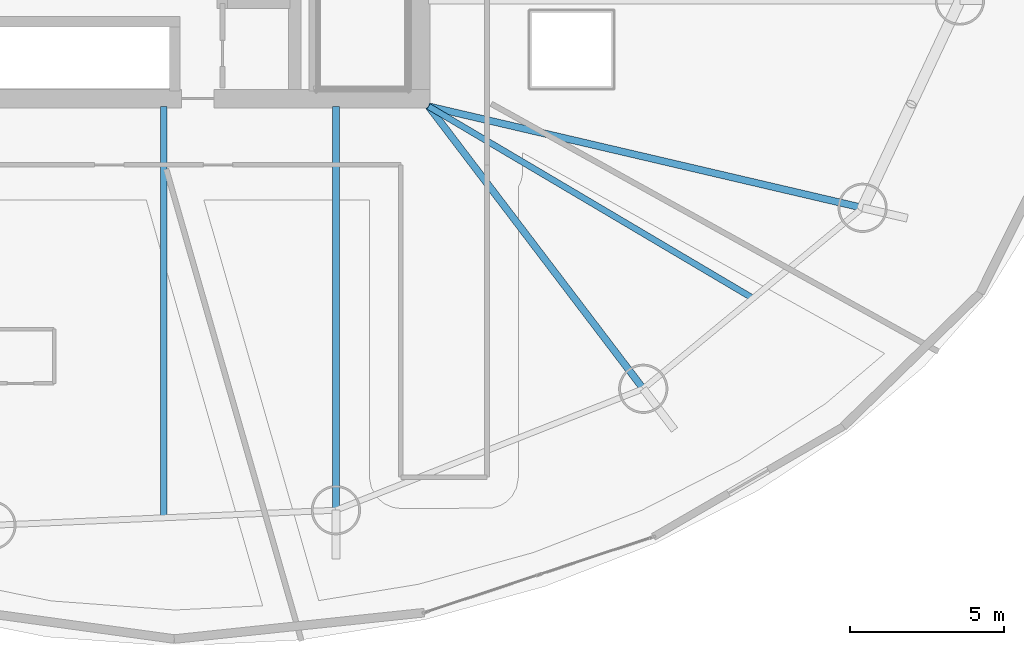
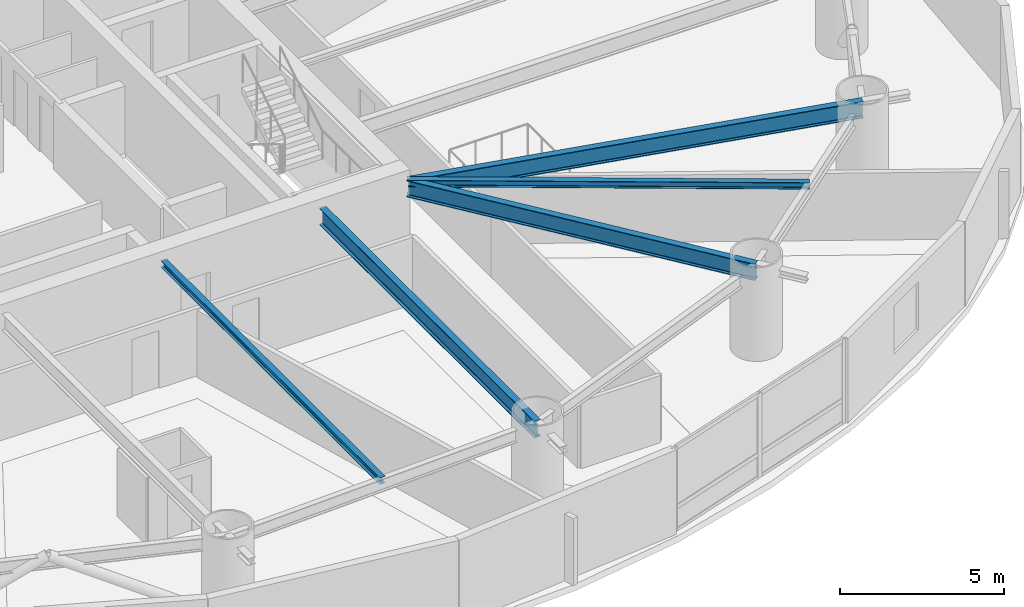
# One storey, part 7 of 25: 5 beams.
"""IFC4 building model written with IfcOpenShell, lengths in metres."""

from ifc_helpers import new_model, si_unit, direction, frame, origin, origin_2d, place, context, subcontext, project, spatial, i_section, extrude, material, material_profile, profile_set, type_object, element, save


model = new_model("IFC4")

# Units and contexts
model_context = context("Model", 3, precision=1e-05, world=origin(), true_north=direction((0.0, 1.0)))
body_context = subcontext(model_context, "Body", "Model", "MODEL_VIEW")
ifc_project = project(units=[si_unit("LENGTHUNIT", "METRE"), si_unit("AREAUNIT", "SQUARE_METRE"), si_unit("VOLUMEUNIT", "CUBIC_METRE"), si_unit("PLANEANGLEUNIT", "RADIAN"), si_unit("MASSUNIT", "GRAM", prefix="KILO")], contexts=[model_context])

# Site, building, storey
site_placement = place(None, origin())
site = spatial("IfcSite", under=ifc_project, at=site_placement, CompositionType="ELEMENT")
building_placement = place(site_placement, origin())
building = spatial("IfcBuilding", under=site, at=building_placement, Name="Bramvorn Convention Spire", CompositionType="ELEMENT")
storey_placement = place(building_placement, frame((0.0, 0.0, 93.89990234375)))
storey = spatial("IfcBuildingStorey", under=building, at=storey_placement, Name="L22", CompositionType="ELEMENT", Elevation=93.89990234375)

# Beams
ifc_material = material(Name="Steel CSA G40.21 Grade 350 (350W)", Category="steel")
ifc_material_profile_1 = material_profile(ifc_material, i_section(OverallWidth=0.201904296875, OverallDepth=0.2470703125, WebThickness=0.00732421875, FlangeThickness=0.010986328125, FilletRadius=0.011962890625, at=origin_2d()))
ifc_profile_set_1 = profile_set([ifc_material_profile_1], Name="Steel CSA G40.21 Grade 350 (350W) - W250X49")
beam_type_1 = type_object("IfcBeamType", Name="BM-W250X49", PredefinedType="JOIST", material=ifc_profile_set_1)
beam_1_placement = place(storey_placement, frame((40.638427734375, 18.550048828125, 3.026611328125), z_axis=(0.0, -1.0, 0.0), x_axis=(1.0, 0.0, 0.0)))
element("IfcBeam", 1, at=beam_1_placement, inside=storey, type_object=beam_type_1, Name="L22 composite floor joist 13", PredefinedType="JOIST", context=body_context, shape_type="SweptSolid", body=[
    extrude(i_section(OverallWidth=0.201904296875, OverallDepth=0.2470703125, WebThickness=0.00732421875, FlangeThickness=0.010986328125, FilletRadius=0.011962890625, at=origin_2d()), origin(), (0.0, 0.0, 1.0), 13.372802734375),
])
beam_2_placement = place(storey_placement, frame((49.25, 18.550048828125, 3.026611328125), z_axis=(0.860664556648, -0.509172388223, 0.0), x_axis=(0.509172388223, 0.860664556648, 0.0)))
element("IfcBeam", 2, at=beam_2_placement, inside=storey, type_object=beam_type_1, Name="L22 composite floor joist 15", PredefinedType="JOIST", context=body_context, shape_type="SweptSolid", body=[
    extrude(i_section(OverallWidth=0.201904296875, OverallDepth=0.2470703125, WebThickness=0.00732421875, FlangeThickness=0.010986328125, FilletRadius=0.011962890625, at=origin_2d()), origin(), (0.0, 0.0, 1.0), 12.25048828125),
])
ifc_material_profile_2 = material_profile(ifc_material, i_section(OverallWidth=0.22998046875, OverallDepth=0.616943359375, WebThickness=0.01318359375, FlangeThickness=0.022216796875, FilletRadius=0.02001953125, at=origin_2d()))
ifc_profile_set_2 = profile_set([ifc_material_profile_2], Name="Steel CSA G40.21 Grade 350 (350W) - W610X140")
beam_type_2 = type_object("IfcBeamType", Name="BM-W610X140", PredefinedType="BEAM", material=ifc_profile_set_2)
beam_3_placement = place(storey_placement, frame((46.23779296875, 18.550048828125, 2.841552734375), z_axis=(0.0, -1.0, 0.0), x_axis=(1.0, 0.0, 0.0)))
element("IfcBeam", 3, at=beam_3_placement, inside=storey, type_object=beam_type_2, Name="L22 radial floor girder MC14", PredefinedType="BEAM", context=body_context, shape_type="SweptSolid", body=[
    extrude(i_section(OverallWidth=0.22998046875, OverallDepth=0.616943359375, WebThickness=0.01318359375, FlangeThickness=0.022216796875, FilletRadius=0.02001953125, at=origin_2d()), origin(), (0.0, 0.0, 1.0), 13.126708984375),
])
beam_4_placement = place(storey_placement, frame((49.25, 18.550048828125, 2.841552734375), z_axis=(0.605191175112, -0.796080172826, 0.0), x_axis=(0.796080172826, 0.605191175112, 0.0)))
element("IfcBeam", 4, at=beam_4_placement, inside=storey, type_object=beam_type_2, Name="L22 radial floor girder MC15", PredefinedType="BEAM", context=body_context, shape_type="SweptSolid", body=[
    extrude(i_section(OverallWidth=0.22998046875, OverallDepth=0.616943359375, WebThickness=0.01318359375, FlangeThickness=0.022216796875, FilletRadius=0.02001953125, at=origin_2d()), origin(), (0.0, 0.0, 1.0), 11.52978515625),
])
beam_5_placement = place(storey_placement, frame((49.25, 18.550048828125, 2.841552734375), z_axis=(0.973775294862, -0.227511923018, 0.0), x_axis=(0.227511923018, 0.973775294862, 0.0)))
element("IfcBeam", 5, at=beam_5_placement, inside=storey, type_object=beam_type_2, Name="L22 radial floor girder MC16", PredefinedType="BEAM", context=body_context, shape_type="SweptSolid", body=[
    extrude(i_section(OverallWidth=0.22998046875, OverallDepth=0.616943359375, WebThickness=0.01318359375, FlangeThickness=0.022216796875, FilletRadius=0.02001953125, at=origin_2d()), origin(), (0.0, 0.0, 1.0), 14.48876953125),
])

save(model, "model.ifc")
